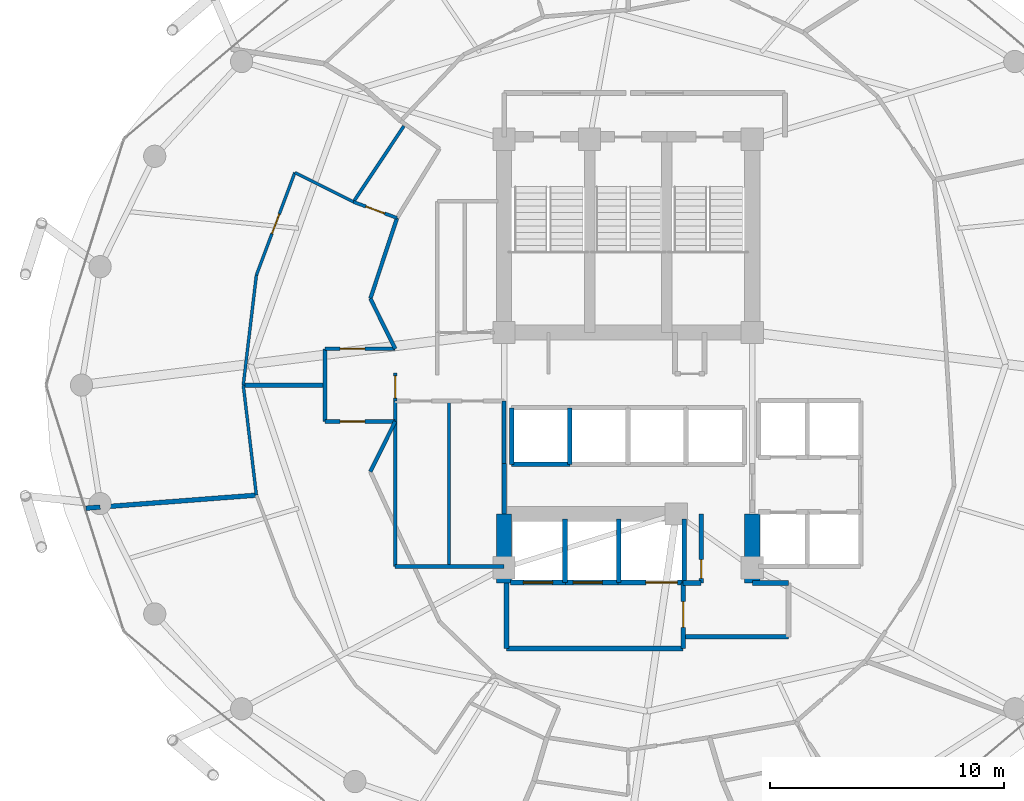
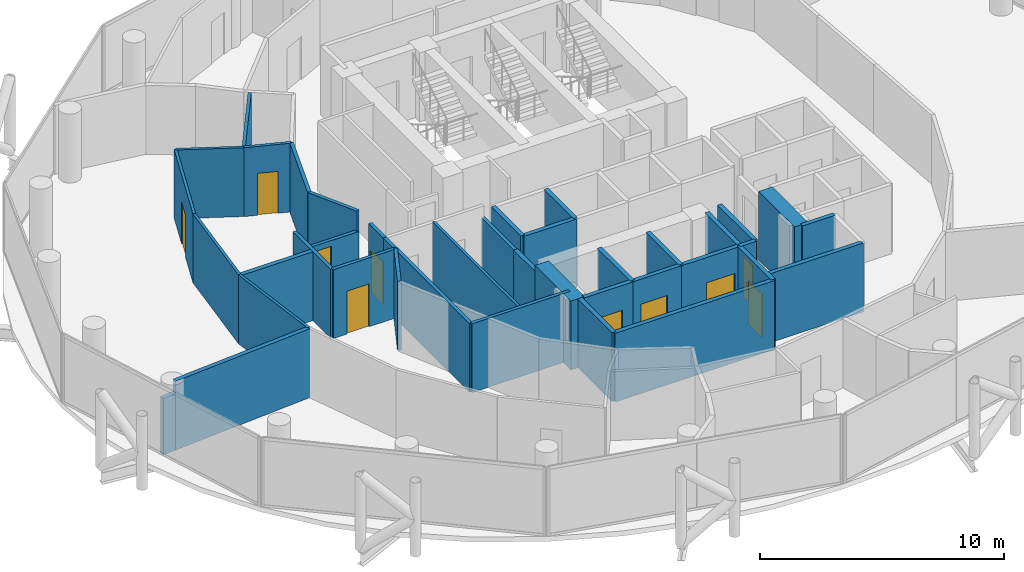
# One storey, part 22 of 26: 39 walls, 10 doors, 10 openings.
"""IFC4 building model written with IfcOpenShell, lengths in metres."""

from ifc_helpers import new_model, si_unit, direction, frame, frame_2d, origin, place, context, subcontext, project, spatial, rectangle, extrude, material, layer, layer_set, type_object, element, fill, save


model = new_model("IFC4")

# Units and contexts
model_context = context("Model", 3, precision=1e-05, world=origin(), true_north=direction((0.0, 1.0)))
body_context = subcontext(model_context, "Body", "Model", "MODEL_VIEW")
ifc_project = project(units=[si_unit("LENGTHUNIT", "METRE"), si_unit("AREAUNIT", "SQUARE_METRE"), si_unit("VOLUMEUNIT", "CUBIC_METRE"), si_unit("PLANEANGLEUNIT", "RADIAN"), si_unit("MASSUNIT", "GRAM", prefix="KILO")], contexts=[model_context])

# Site, building, storey
site_placement = place(None, origin())
site = spatial("IfcSite", under=ifc_project, at=site_placement, CompositionType="ELEMENT")
building_placement = place(site_placement, origin())
building = spatial("IfcBuilding", under=site, at=building_placement, Name="Nuhasar Tower", CompositionType="ELEMENT")
storey_placement = place(building_placement, frame((0.0, 0.0, 140.449951171875)))
storey = spatial("IfcBuildingStorey", under=building, at=storey_placement, Name="L33", CompositionType="ELEMENT", Elevation=140.449951171875)

# Walls
ifc_material_1 = material(Name="Concrete C65/80", Category="concrete")
ifc_layer_1 = layer(ifc_material_1, 0.64990234375)
ifc_layer_set_1 = layer_set([ifc_layer_1], Name="Concrete C65/80")
wall_type_1 = type_object("IfcWallType", Name="WL-CORE-650", PredefinedType="SHEAR", material=ifc_layer_set_1)
for number, where, z_axis, x_axis, name in (
    (1, (33.699951171875, 18.35009765625, 0.0), (0.0, 0.0, 1.0), (0.0, 1.0, 0.0), "L33 Core Shear Wall CW-SW CW-650"),
    (2, (44.300048828125, 18.35009765625, 0.0), (0.0, 0.0, 1.0), (0.0, 1.0, 0.0), "L33 Core Shear Wall CW-SE CW-650"),
):
    element("IfcWall", number, at=place(storey_placement, frame(where, z_axis=z_axis, x_axis=x_axis)), inside=storey, type_object=wall_type_1, Name=name, PredefinedType="SHEAR", context=body_context, shape_type="SweptSolid", body=[
        extrude(rectangle(XDim=2.949951171875, YDim=0.64990234375, at=frame_2d((1.47509765625, 0.0))), origin(), (0.0, 0.0, 1.0), 3.449951171875),
    ])
ifc_material_2 = material(Name="Gypsum Board", Category="gypsum")
ifc_layer_2 = layer(ifc_material_2, 0.159912109375)
ifc_layer_set_2 = layer_set([ifc_layer_2], Name="Gypsum Board")
wall_type_2 = type_object("IfcWallType", Name="WL-CORR-160", PredefinedType="PARTITIONING", material=ifc_layer_set_2)
wall_1_placement = place(storey_placement, frame((29.050048828125, 19.050048828125, 0.0), z_axis=(0.0, 0.0, 1.0), x_axis=(1.0, 0.0, 0.0)))
element("IfcWall", 3, at=wall_1_placement, inside=storey, type_object=wall_type_2, Name="L33 Interior Partition RECL-B1-S", PredefinedType="PARTITIONING", context=body_context, shape_type="SweptSolid", body=[
    extrude(rectangle(XDim=4.64990234375, YDim=0.159912109375, at=frame_2d((2.324951171875, 0.0))), origin(), (0.0, 0.0, 1.0), 3.449951171875),
])
wall_2_placement = place(storey_placement, frame((29.050048828125, 19.050048828125, 0.0), z_axis=(0.0, 0.0, 1.0), x_axis=(0.0, 1.0, 0.0)))
element("IfcWall", 4, at=wall_2_placement, inside=storey, type_object=wall_type_2, Name="L33 Interior Partition RECL-B1-W", PredefinedType="PARTITIONING", context=body_context, shape_type="SweptSolid", body=[
    extrude(rectangle(XDim=7.070068359375, YDim=0.159912109375, at=frame_2d((3.53515625, 0.0))), origin(), (0.0, 0.0, 1.0), 3.449951171875),
])
wall_3_placement = place(storey_placement, frame((33.699951171875, 23.449951171875, 0.0), z_axis=(0.0, 0.0, 1.0), x_axis=(0.0, 1.0, 0.0)))
element("IfcWall", 5, at=wall_3_placement, inside=storey, type_object=wall_type_2, Name="L33 Interior Partition RECL-B1-E", PredefinedType="PARTITIONING", context=body_context, shape_type="SweptSolid", body=[
    extrude(rectangle(XDim=2.670166015625, YDim=0.159912109375, at=frame_2d((1.3349609375, 0.0))), origin(), (0.0, 0.0, 1.0), 2.8349609375),
])

# Wall, opening, door
wall_4_placement = place(storey_placement, frame((29.050048828125, 26.1201171875, 0.0), z_axis=(0.0, 0.0, 1.0), x_axis=(0.0, 1.0, 0.0)))
wall_4 = element("IfcWall", 6, at=wall_4_placement, inside=storey, type_object=wall_type_2, Name="L33 Interior Partition WVEST-E", PredefinedType="PARTITIONING", context=body_context, shape_type="SweptSolid", body=[
    extrude(rectangle(XDim=1.199951171875, YDim=0.159912109375, at=frame_2d((0.60009765625, 0.0))), origin(), (0.0, 0.0, 1.0), 3.449951171875),
])
opening_1_placement = place(wall_4_placement, frame((0.125, 0.0, 0.0)))
opening_1 = element("IfcOpeningElement", 7, at=opening_1_placement, cuts=wall_4, Name="Opening DO-01", PredefinedType="OPENING", context=body_context, shape_type="SweptSolid", body=[
    extrude(rectangle(XDim=0.949951171875, YDim=2.14990234375, at=frame_2d((0.47509765625, 1.074951171875))), frame((0.0, 0.08984375, 0.0), z_axis=(0.0, -1.0, 0.0), x_axis=(1.0, 0.0, 0.0)), (0.0, 0.0, 1.0), 0.179931640625),
])
ifc_material_3 = material(Name="Timber Oak", Category="wood")
door_type_1 = type_object("IfcDoorType", Name="DR-OFFICE-FD30-950", OperationType="NOTDEFINED", PredefinedType="DOOR", material=ifc_material_3)
door_1_placement = place(opening_1_placement, origin())
door_1 = element("IfcDoor", 8, at=door_1_placement, inside=storey, type_object=door_type_1, Name="L33 West Arrival Foyer Core Door", OperationType="SINGLE_SWING_LEFT", OverallHeight=2.14990234375, OverallWidth=0.949951171875, PredefinedType="DOOR", context=body_context, shape_type="SweptSolid", body=[
    extrude(rectangle(XDim=0.949951171875, YDim=2.14990234375, at=frame_2d((0.47509765625, 1.074951171875))), frame((0.0, 0.02490234375, 0.0), z_axis=(0.0, -1.0, 0.0), x_axis=(1.0, 0.0, 0.0)), (0.0, 0.0, 1.0), 0.050048828125),
])
fill(opening_1, door_1)

# Wall
wall_5_placement = place(storey_placement, frame((29.126953125, 33.93994140625, 0.0), z_axis=(0.0, 0.0, 1.0), x_axis=(-0.313985571683, -0.949427754374, 0.0)))
element("IfcWall", 9, at=wall_5_placement, inside=storey, type_object=wall_type_2, Name="L33 Interior Partition HWEST-CORE-N-20", PredefinedType="PARTITIONING", context=body_context, shape_type="SweptSolid", body=[
    extrude(rectangle(XDim=3.627197265625, YDim=0.159912109375, at=frame_2d((1.8134765625, 0.0))), origin(), (0.0, 0.0, 1.0), 3.449951171875),
])

# Wall, opening, door
wall_6_placement = place(storey_placement, frame((26.050048828125, 28.35009765625, 0.0), z_axis=(0.0, 0.0, 1.0), x_axis=(1.0, 0.0, 0.0)))
wall_6 = element("IfcWall", 10, at=wall_6_placement, inside=storey, type_object=wall_type_2, Name="L33 Interior Partition WVEST-N", PredefinedType="PARTITIONING", context=body_context, shape_type="SweptSolid", body=[
    extrude(rectangle(XDim=3.0, YDim=0.159912109375, at=frame_2d((1.5, 0.0))), origin(), (0.0, 0.0, 1.0), 2.43994140625),
])
opening_2_placement = place(wall_6_placement, frame((0.64990234375, 0.0, 0.0)))
opening_2 = element("IfcOpeningElement", 11, at=opening_2_placement, cuts=wall_6, Name="Opening DU-01", PredefinedType="OPENING", context=body_context, shape_type="SweptSolid", body=[
    extrude(rectangle(XDim=1.050048828125, YDim=2.14990234375, at=frame_2d((0.52490234375, 1.074951171875))), frame((0.0, 0.08984375, 0.0), z_axis=(0.0, -1.0, 0.0), x_axis=(1.0, 0.0, 0.0)), (0.0, 0.0, 1.0), 0.179931640625),
])
door_type_2 = type_object("IfcDoorType", Name="DR-SUITE-FD60-1050", OperationType="NOTDEFINED", PredefinedType="DOOR", material=ifc_material_3)
door_2_placement = place(opening_2_placement, origin())
door_2 = element("IfcDoor", 12, at=door_2_placement, inside=storey, type_object=door_type_2, Name="L33 North-West Sunset Suite Entrance", OperationType="SINGLE_SWING_LEFT", OverallHeight=2.14990234375, OverallWidth=1.050048828125, PredefinedType="DOOR", context=body_context, shape_type="SweptSolid", body=[
    extrude(rectangle(XDim=1.050048828125, YDim=2.14990234375, at=frame_2d((0.52490234375, 1.074951171875))), frame((0.0, 0.02490234375, 0.0), z_axis=(0.0, -1.0, 0.0), x_axis=(1.0, 0.0, 0.0)), (0.0, 0.0, 1.0), 0.050048828125),
])
fill(opening_2, door_2)

wall_7_placement = place(storey_placement, frame((26.050048828125, 25.25, 0.0), z_axis=(0.0, 0.0, 1.0), x_axis=(1.0, 0.0, 0.0)))
wall_7 = element("IfcWall", 13, at=wall_7_placement, inside=storey, type_object=wall_type_2, Name="L33 Interior Partition WVEST-S", PredefinedType="PARTITIONING", context=body_context, shape_type="SweptSolid", body=[
    extrude(rectangle(XDim=3.0, YDim=0.159912109375, at=frame_2d((1.5, 0.0))), origin(), (0.0, 0.0, 1.0), 3.449951171875),
])
opening_3_placement = place(wall_7_placement, frame((0.64990234375, 0.0, 0.0)))
opening_3 = element("IfcOpeningElement", 14, at=opening_3_placement, cuts=wall_7, Name="Opening DU-01", PredefinedType="OPENING", context=body_context, shape_type="SweptSolid", body=[
    extrude(rectangle(XDim=1.050048828125, YDim=2.14990234375, at=frame_2d((0.52490234375, 1.074951171875))), frame((0.0, 0.08984375, 0.0), z_axis=(0.0, -1.0, 0.0), x_axis=(1.0, 0.0, 0.0)), (0.0, 0.0, 1.0), 0.179931640625),
])
door_3_placement = place(opening_3_placement, origin())
door_3 = element("IfcDoor", 15, at=door_3_placement, inside=storey, type_object=door_type_2, Name="L33 South-West Presidential Suite Entrance", OperationType="SINGLE_SWING_LEFT", OverallHeight=2.14990234375, OverallWidth=1.050048828125, PredefinedType="DOOR", context=body_context, shape_type="SweptSolid", body=[
    extrude(rectangle(XDim=1.050048828125, YDim=2.14990234375, at=frame_2d((0.52490234375, 1.074951171875))), frame((0.0, 0.02490234375, 0.0), z_axis=(0.0, -1.0, 0.0), x_axis=(1.0, 0.0, 0.0)), (0.0, 0.0, 1.0), 0.050048828125),
])
fill(opening_3, door_3)

# Walls
wall_8_placement = place(storey_placement, frame((26.050048828125, 25.25, 0.0), z_axis=(0.0, 0.0, 1.0), x_axis=(0.0, 1.0, 0.0)))
element("IfcWall", 16, at=wall_8_placement, inside=storey, type_object=wall_type_2, Name="L33 Interior Partition WVEST-W", PredefinedType="PARTITIONING", context=body_context, shape_type="SweptSolid", body=[
    extrude(rectangle(XDim=3.10009765625, YDim=0.159912109375, at=frame_2d((1.550048828125, 0.0))), origin(), (0.0, 0.0, 1.0), 3.449951171875),
])
for number, where, z_axis, x_axis, name in (
    (17, (27.988037109375, 30.49609375, 0.0), (0.0, 0.0, 1.0), (0.443539160525, -0.896254993337, 0.0), "L33 Interior Partition WVEST-CN"),
    (18, (27.988037109375, 23.10400390625, 0.0), (0.0, 0.0, 1.0), (0.443539160525, 0.896254993337, 0.0), "L33 Interior Partition WVEST-CS"),
):
    element("IfcWall", number, at=place(storey_placement, frame(where, z_axis=z_axis, x_axis=x_axis)), inside=storey, type_object=wall_type_2, Name=name, PredefinedType="PARTITIONING", context=body_context, shape_type="SweptSolid", body=[
        extrude(rectangle(XDim=2.394287109375, YDim=0.159912109375, at=frame_2d((1.197265625, 0.0))), origin(), (0.0, 0.0, 1.0), 3.449951171875),
    ])
ifc_material_4 = material(Name="Concrete C45/55", Category="concrete")
ifc_layer_3 = layer(ifc_material_4, 0.199951171875)
ifc_layer_set_3 = layer_set([ifc_layer_3], Name="Concrete C45/55")
wall_type_3 = type_object("IfcWallType", Name="WL-LOBBY-200", PredefinedType="SOLIDWALL", material=ifc_layer_set_3)
wall_9_placement = place(storey_placement, frame((33.699951171875, 21.300048828125, 0.0), z_axis=(0.0, 0.0, 1.0), x_axis=(0.0, 1.0, 0.0)))
element("IfcWall", 19, at=wall_9_placement, inside=storey, type_object=wall_type_3, Name="L33 Interior Partition LLBH-W", PredefinedType="SOLIDWALL", context=body_context, shape_type="SweptSolid", body=[
    extrude(rectangle(XDim=2.14990234375, YDim=0.199951171875, at=frame_2d((1.074951171875, 0.0))), origin(), (0.0, 0.0, 1.0), 2.8349609375),
])
wall_10_placement = place(storey_placement, frame((33.800048828125, 15.550048828125, 0.0), z_axis=(0.0, 0.0, 1.0), x_axis=(1.0, 0.0, 0.0)))
element("IfcWall", 20, at=wall_10_placement, inside=storey, type_object=wall_type_3, Name="L33 Interior Partition FFL-S", PredefinedType="SOLIDWALL", context=body_context, shape_type="SweptSolid", body=[
    extrude(rectangle(XDim=7.550048828125, YDim=0.199951171875, at=frame_2d((3.77490234375, 0.0))), origin(), (0.0, 0.0, 1.0), 3.449951171875),
])
wall_11_placement = place(storey_placement, frame((33.800048828125, 15.550048828125, 0.0), z_axis=(0.0, 0.0, 1.0), x_axis=(0.0, 1.0, 0.0)))
element("IfcWall", 21, at=wall_11_placement, inside=storey, type_object=wall_type_3, Name="L33 Interior Partition FFL-W", PredefinedType="SOLIDWALL", context=body_context, shape_type="SweptSolid", body=[
    extrude(rectangle(XDim=2.800048828125, YDim=0.199951171875, at=frame_2d((1.39990234375, 0.0))), origin(), (0.0, 0.0, 1.0), 3.449951171875),
])

# Wall, opening, door
wall_12_placement = place(storey_placement, frame((41.35009765625, 15.550048828125, 0.0), z_axis=(0.0, 0.0, 1.0), x_axis=(0.0, 1.0, 0.0)))
wall_12 = element("IfcWall", 22, at=wall_12_placement, inside=storey, type_object=wall_type_3, Name="L33 Interior Partition FFL-E", PredefinedType="SOLIDWALL", context=body_context, shape_type="SweptSolid", body=[
    extrude(rectangle(XDim=2.800048828125, YDim=0.199951171875, at=frame_2d((1.39990234375, 0.0))), origin(), (0.0, 0.0, 1.0), 3.449951171875),
])
opening_4_placement = place(wall_12_placement, frame((0.89990234375, 0.0, 0.0)))
opening_4 = element("IfcOpeningElement", 23, at=opening_4_placement, cuts=wall_12, Name="Opening DS-02", PredefinedType="OPENING", context=body_context, shape_type="SweptSolid", body=[
    extrude(rectangle(XDim=1.10009765625, YDim=2.14990234375, at=frame_2d((0.550048828125, 1.074951171875))), frame((0.0, 0.10986328125, 0.0), z_axis=(0.0, -1.0, 0.0), x_axis=(1.0, 0.0, 0.0)), (0.0, 0.0, 1.0), 0.219970703125),
])
ifc_material_5 = material(Name="Steel S355", Category="steel")
door_type_3 = type_object("IfcDoorType", Name="DR-FFL-FD120-1100", OperationType="NOTDEFINED", PredefinedType="DOOR", material=ifc_material_5)
door_4_placement = place(opening_4_placement, origin())
door_4 = element("IfcDoor", 24, at=door_4_placement, inside=storey, type_object=door_type_3, Name="L33 Firefighting Lobby Door", OperationType="SINGLE_SWING_RIGHT", OverallHeight=2.14990234375, OverallWidth=1.10009765625, PredefinedType="DOOR", context=body_context, shape_type="SweptSolid", body=[
    extrude(rectangle(XDim=1.10009765625, YDim=2.14990234375, at=frame_2d((0.550048828125, 1.074951171875))), frame((0.0, 0.02490234375, 0.0), z_axis=(0.0, -1.0, 0.0), x_axis=(1.0, 0.0, 0.0)), (0.0, 0.0, 1.0), 0.050048828125),
])
fill(opening_4, door_4)

# Walls
wall_13_placement = place(storey_placement, frame((41.35009765625, 16.050048828125, 0.0), z_axis=(0.0, 0.0, 1.0), x_axis=(1.0, 0.0, 0.0)))
element("IfcWall", 25, at=wall_13_placement, inside=storey, type_object=wall_type_3, Name="L33 Interior Partition SVLV-S", PredefinedType="SOLIDWALL", context=body_context, shape_type="SweptSolid", body=[
    extrude(rectangle(XDim=4.5, YDim=0.199951171875, at=frame_2d((2.25, 0.0))), origin(), (0.0, 0.0, 1.0), 3.449951171875),
])
wall_14_placement = place(storey_placement, frame((44.300048828125, 18.35009765625, 0.0), z_axis=(0.0, 0.0, 1.0), x_axis=(1.0, 0.0, 0.0)))
element("IfcWall", 26, at=wall_14_placement, inside=storey, type_object=wall_type_3, Name="L33 Interior Partition SVLV-N", PredefinedType="SOLIDWALL", context=body_context, shape_type="SweptSolid", body=[
    extrude(rectangle(XDim=1.550048828125, YDim=0.199951171875, at=frame_2d((0.77490234375, 0.0))), origin(), (0.0, 0.0, 1.0), 3.449951171875),
])
ifc_layer_4 = layer(ifc_material_2, 0.125)
ifc_layer_set_4 = layer_set([ifc_layer_4], Name="Gypsum Board")
wall_type_4 = type_object("IfcWallType", Name="WL-PART-125", PredefinedType="PARTITIONING", material=ifc_layer_set_4)
wall_15_placement = place(storey_placement, frame((31.35009765625, 19.050048828125, 0.0), z_axis=(0.0, 0.0, 1.0), x_axis=(0.0, 1.0, 0.0)))
element("IfcWall", 27, at=wall_15_placement, inside=storey, type_object=wall_type_4, Name="L33 Interior Partition RECL-B1-V", PredefinedType="PARTITIONING", context=body_context, shape_type="SweptSolid", body=[
    extrude(rectangle(XDim=7.070068359375, YDim=0.125, at=frame_2d((3.53515625, 0.0))), origin(), (0.0, 0.0, 1.0), 3.449951171875),
])
wall_16_placement = place(storey_placement, frame((27.264892578125, 34.625, 0.0), z_axis=(0.0, 0.0, 1.0), x_axis=(-0.893868262645, 0.448329710187, 0.0)))
element("IfcWall", 28, at=wall_16_placement, inside=storey, type_object=wall_type_4, Name="L33 Interior Partition HWS1-S", PredefinedType="PARTITIONING", context=body_context, shape_type="SweptSolid", body=[
    extrude(rectangle(XDim=2.799072265625, YDim=0.125, at=frame_2d((1.3994140625, 0.0))), origin(), (0.0, 0.0, 1.0), 3.449951171875),
])

# Wall, opening, door
wall_17_placement = place(storey_placement, frame((24.762939453125, 35.8798828125, 0.0), z_axis=(0.0, 0.0, 1.0), x_axis=(-0.351192075157, -0.936303437111, 0.0)))
wall_17 = element("IfcWall", 29, at=wall_17_placement, inside=storey, type_object=wall_type_4, Name="L33 Interior Partition HWS1-ARC-20", PredefinedType="PARTITIONING", context=body_context, shape_type="SweptSolid", body=[
    extrude(rectangle(XDim=4.677734375, YDim=0.125, at=frame_2d((2.3388671875, 0.0))), origin(), (0.0, 0.0, 1.0), 3.449951171875),
])
opening_5_placement = place(wall_17_placement, frame((1.888916015625, 0.0, 0.0)))
opening_5 = element("IfcOpeningElement", 30, at=opening_5_placement, cuts=wall_17, Name="Opening DR-01", PredefinedType="OPENING", context=body_context, shape_type="SweptSolid", body=[
    extrude(rectangle(XDim=0.89990234375, YDim=2.10009765625, at=frame_2d((0.449951171875, 1.050048828125))), frame((0.0, 0.072509765625, 0.0), z_axis=(0.0, -1.0, 0.0), x_axis=(1.0, 0.0, 0.0)), (0.0, 0.0, 1.0), 0.14501953125),
])
door_type_4 = type_object("IfcDoorType", Name="DR-ROOM-900", OperationType="NOTDEFINED", PredefinedType="DOOR", material=ifc_material_3)
door_5_placement = place(opening_5_placement, origin())
door_5 = element("IfcDoor", 31, at=door_5_placement, inside=storey, type_object=door_type_4, Name="L33 North-West Sunset Suite Bedroom Door", OperationType="SINGLE_SWING_RIGHT", OverallHeight=2.10009765625, OverallWidth=0.89990234375, PredefinedType="DOOR", context=body_context, shape_type="SweptSolid", body=[
    extrude(rectangle(XDim=0.89990234375, YDim=2.10009765625, at=frame_2d((0.449951171875, 1.050048828125))), frame((0.0, 0.02490234375, 0.0), z_axis=(0.0, -1.0, 0.0), x_axis=(1.0, 0.0, 0.0)), (0.0, 0.0, 1.0), 0.050048828125),
])
fill(opening_5, door_5)

# Walls
for number, where, z_axis, x_axis, name in (
    (32, (23.1201171875, 31.5, 0.0), (0.0, 0.0, 1.0), (-0.118325506778, -0.992974860933, 0.0), "L33 Interior Partition HWS1-ARC-22"),
    (33, (22.56005859375, 26.800048828125, 0.0), (0.0, 0.0, 1.0), (0.118325506778, -0.992974860933, 0.0), "L33 Interior Partition HWS2-ARC-24"),
):
    element("IfcWall", number, at=place(storey_placement, frame(where, z_axis=z_axis, x_axis=x_axis)), inside=storey, type_object=wall_type_4, Name=name, PredefinedType="PARTITIONING", context=body_context, shape_type="SweptSolid", body=[
        extrude(rectangle(XDim=4.733154296875, YDim=0.125, at=frame_2d((2.36669921875, 0.0))), origin(), (0.0, 0.0, 1.0), 3.449951171875),
    ])
ifc_layer_5 = layer(ifc_material_4, 0.199951171875)
ifc_layer_set_5 = layer_set([ifc_layer_5], Name="Concrete C45/55")
wall_type_5 = type_object("IfcWallType", Name="WL-SHAFT-200", PredefinedType="SOLIDWALL", material=ifc_layer_set_5)
wall_18_placement = place(storey_placement, frame((34.02001953125, 23.419921875, 0.0), z_axis=(0.0, 0.0, 1.0), x_axis=(1.0, 0.0, 0.0)))
element("IfcWall", 34, at=wall_18_placement, inside=storey, type_object=wall_type_5, Name="L33 Interior Partition SHF-PL-H01-S", PredefinedType="SOLIDWALL", context=body_context, shape_type="SweptSolid", body=[
    extrude(rectangle(XDim=2.5, YDim=0.199951171875, at=frame_2d((1.25, 0.0))), origin(), (0.0, 0.0, 1.0), 3.449951171875),
])
for number, where, z_axis, x_axis, name in (
    (35, (34.02001953125, 23.419921875, 0.0), (0.0, 0.0, 1.0), (0.0, 1.0, 0.0), "L33 Interior Partition SHF-PL-H01-W"),
    (36, (36.510009765625, 23.419921875, 0.0), (0.0, 0.0, 1.0), (0.0, 1.0, 0.0), "L33 Interior Partition SHF-PL-H01-E"),
):
    element("IfcWall", number, at=place(storey_placement, frame(where, z_axis=z_axis, x_axis=x_axis)), inside=storey, type_object=wall_type_5, Name=name, PredefinedType="SOLIDWALL", context=body_context, shape_type="SweptSolid", body=[
        extrude(rectangle(XDim=2.41015625, YDim=0.199951171875, at=frame_2d((1.205078125, 0.0))), origin(), (0.0, 0.0, 1.0), 3.449951171875),
    ])

# Wall, opening, door
wall_19_placement = place(storey_placement, frame((33.969970703125, 18.3701171875, 0.0), z_axis=(0.0, 0.0, 1.0), x_axis=(1.0, 0.0, 0.0)))
wall_19 = element("IfcWall", 37, at=wall_19_placement, inside=storey, type_object=wall_type_5, Name="L33 Interior Partition SHF-FFL-01-S", PredefinedType="SOLIDWALL", context=body_context, shape_type="SweptSolid", body=[
    extrude(rectangle(XDim=2.360107421875, YDim=0.199951171875, at=frame_2d((1.18017578125, 0.0))), origin(), (0.0, 0.0, 1.0), 3.449951171875),
])
opening_6_placement = place(wall_19_placement, frame((0.554931640625, 0.0, 0.0)))
opening_6 = element("IfcOpeningElement", 38, at=opening_6_placement, cuts=wall_19, Name="Opening LD-F01", PredefinedType="OPENING", context=body_context, shape_type="SweptSolid", body=[
    extrude(rectangle(XDim=1.25, YDim=2.199951171875, at=frame_2d((0.625, 1.10009765625))), frame((0.0, 0.10986328125, 0.0), z_axis=(0.0, -1.0, 0.0), x_axis=(1.0, 0.0, 0.0)), (0.0, 0.0, 1.0), 0.219970703125),
])
ifc_material_6 = material(Name="Stainless Steel 316L", Category="steel")
door_type_5 = type_object("IfcDoorType", Name="LD-FFL-1250", OperationType="DOUBLE_DOOR_SLIDING", PredefinedType="DOOR", material=ifc_material_6)
door_6_placement = place(opening_6_placement, origin())
door_6 = element("IfcDoor", 39, at=door_6_placement, inside=storey, type_object=door_type_5, Name="L33 Lift Landing Door FFL-01", OperationType="DOUBLE_DOOR_SLIDING", OverallHeight=2.199951171875, OverallWidth=1.25, PredefinedType="DOOR", context=body_context, shape_type="SweptSolid", body=[
    extrude(rectangle(XDim=1.25, YDim=2.199951171875, at=frame_2d((0.625, 1.10009765625))), frame((0.0, 0.02490234375, 0.0), z_axis=(0.0, -1.0, 0.0), x_axis=(1.0, 0.0, 0.0)), (0.0, 0.0, 1.0), 0.050048828125),
])
fill(opening_6, door_6)

# Wall
wall_20_placement = place(storey_placement, frame((36.300048828125, 18.3701171875, 0.0), z_axis=(0.0, 0.0, 1.0), x_axis=(0.0, 1.0, 0.0)))
element("IfcWall", 40, at=wall_20_placement, inside=storey, type_object=wall_type_5, Name="L33 Interior Partition SHF-FFL-01-E", PredefinedType="SOLIDWALL", context=body_context, shape_type="SweptSolid", body=[
    extrude(rectangle(XDim=2.7099609375, YDim=0.199951171875, at=frame_2d((1.35498046875, 0.0))), origin(), (0.0, 0.0, 1.0), 3.449951171875),
])

# Wall, opening, door
wall_21_placement = place(storey_placement, frame((36.27001953125, 18.3701171875, 0.0), z_axis=(0.0, 0.0, 1.0), x_axis=(1.0, 0.0, 0.0)))
wall_21 = element("IfcWall", 41, at=wall_21_placement, inside=storey, type_object=wall_type_5, Name="L33 Interior Partition SHF-FFL-02-S", PredefinedType="SOLIDWALL", context=body_context, shape_type="SweptSolid", body=[
    extrude(rectangle(XDim=2.35986328125, YDim=0.199951171875, at=frame_2d((1.179931640625, 0.0))), origin(), (0.0, 0.0, 1.0), 3.449951171875),
])
opening_7_placement = place(wall_21_placement, frame((0.3798828125, 0.0, 0.0)))
opening_7 = element("IfcOpeningElement", 42, at=opening_7_placement, cuts=wall_21, Name="Opening LD-F02", PredefinedType="OPENING", context=body_context, shape_type="SweptSolid", body=[
    extrude(rectangle(XDim=1.25, YDim=2.199951171875, at=frame_2d((0.625, 1.10009765625))), frame((0.0, 0.10986328125, 0.0), z_axis=(0.0, -1.0, 0.0), x_axis=(1.0, 0.0, 0.0)), (0.0, 0.0, 1.0), 0.219970703125),
])
door_7_placement = place(opening_7_placement, origin())
door_7 = element("IfcDoor", 43, at=door_7_placement, inside=storey, type_object=door_type_5, Name="L33 Lift Landing Door FFL-02", OperationType="DOUBLE_DOOR_SLIDING", OverallHeight=2.199951171875, OverallWidth=1.25, PredefinedType="DOOR", context=body_context, shape_type="SweptSolid", body=[
    extrude(rectangle(XDim=1.25, YDim=2.199951171875, at=frame_2d((0.625, 1.10009765625))), frame((0.0, 0.02490234375, 0.0), z_axis=(0.0, -1.0, 0.0), x_axis=(1.0, 0.0, 0.0)), (0.0, 0.0, 1.0), 0.050048828125),
])
fill(opening_7, door_7)

# Wall
wall_22_placement = place(storey_placement, frame((38.60009765625, 18.3701171875, 0.0), z_axis=(0.0, 0.0, 1.0), x_axis=(0.0, 1.0, 0.0)))
element("IfcWall", 44, at=wall_22_placement, inside=storey, type_object=wall_type_5, Name="L33 Interior Partition SHF-FFL-02-E", PredefinedType="SOLIDWALL", context=body_context, shape_type="SweptSolid", body=[
    extrude(rectangle(XDim=2.7099609375, YDim=0.199951171875, at=frame_2d((1.35498046875, 0.0))), origin(), (0.0, 0.0, 1.0), 3.449951171875),
])

# Wall, opening, door
wall_23_placement = place(storey_placement, frame((38.570068359375, 18.3701171875, 0.0), z_axis=(0.0, 0.0, 1.0), x_axis=(1.0, 0.0, 0.0)))
wall_23 = element("IfcWall", 45, at=wall_23_placement, inside=storey, type_object=wall_type_5, Name="L33 Interior Partition SHF-SVL-01-S", PredefinedType="SOLIDWALL", context=body_context, shape_type="SweptSolid", body=[
    extrude(rectangle(XDim=2.829833984375, YDim=0.199951171875, at=frame_2d((1.4150390625, 0.0))), origin(), (0.0, 0.0, 1.0), 3.449951171875),
])
opening_8_placement = place(wall_23_placement, frame((1.179931640625, 0.0, 0.0)))
opening_8 = element("IfcOpeningElement", 46, at=opening_8_placement, cuts=wall_23, Name="Opening LD-S01", PredefinedType="OPENING", context=body_context, shape_type="SweptSolid", body=[
    extrude(rectangle(XDim=1.35009765625, YDim=2.179931640625, at=frame_2d((0.675048828125, 1.08984375))), frame((0.0, 0.10986328125, 0.0), z_axis=(0.0, -1.0, 0.0), x_axis=(1.0, 0.0, 0.0)), (0.0, 0.0, 1.0), 0.219970703125),
])
door_type_6 = type_object("IfcDoorType", Name="LD-SVL-1350", OperationType="DOUBLE_DOOR_SLIDING", PredefinedType="DOOR", material=ifc_material_6)
door_8_placement = place(opening_8_placement, origin())
door_8 = element("IfcDoor", 47, at=door_8_placement, inside=storey, type_object=door_type_6, Name="L33 Lift Landing Door SVL-01", OperationType="DOUBLE_DOOR_SLIDING", OverallHeight=2.179931640625, OverallWidth=1.35009765625, PredefinedType="DOOR", context=body_context, shape_type="SweptSolid", body=[
    extrude(rectangle(XDim=1.35009765625, YDim=2.179931640625, at=frame_2d((0.675048828125, 1.08984375))), frame((0.0, 0.02490234375, 0.0), z_axis=(0.0, -1.0, 0.0), x_axis=(1.0, 0.0, 0.0)), (0.0, 0.0, 1.0), 0.050048828125),
])
fill(opening_8, door_8)

# Wall
wall_24_placement = place(storey_placement, frame((41.39990234375, 18.3701171875, 0.0), z_axis=(0.0, 0.0, 1.0), x_axis=(0.0, 1.0, 0.0)))
element("IfcWall", 48, at=wall_24_placement, inside=storey, type_object=wall_type_5, Name="L33 Interior Partition SHF-SVL-01-E", PredefinedType="SOLIDWALL", context=body_context, shape_type="SweptSolid", body=[
    extrude(rectangle(XDim=2.7099609375, YDim=0.199951171875, at=frame_2d((1.35498046875, 0.0))), origin(), (0.0, 0.0, 1.0), 3.449951171875),
])

# Wall, opening, door
wall_25_placement = place(storey_placement, frame((42.1201171875, 18.35009765625, 0.0), z_axis=(0.0, 0.0, 1.0), x_axis=(0.0, 1.0, 0.0)))
wall_25 = element("IfcWall", 49, at=wall_25_placement, inside=storey, type_object=wall_type_5, Name="L33 Interior Partition RSR-E", PredefinedType="SOLIDWALL", context=body_context, shape_type="SweptSolid", body=[
    extrude(rectangle(XDim=2.949951171875, YDim=0.199951171875, at=frame_2d((1.47509765625, 0.0))), origin(), (0.0, 0.0, 1.0), 3.449951171875),
])
opening_9_placement = place(wall_25_placement, frame((0.199951171875, 0.0, 0.0)))
opening_9 = element("IfcOpeningElement", 50, at=opening_9_placement, cuts=wall_25, Name="Opening DM-01", PredefinedType="OPENING", context=body_context, shape_type="SweptSolid", body=[
    extrude(rectangle(XDim=0.800048828125, YDim=2.050048828125, at=frame_2d((0.39990234375, 1.02490234375))), frame((0.0, 0.10986328125, 0.0), z_axis=(0.0, -1.0, 0.0), x_axis=(1.0, 0.0, 0.0)), (0.0, 0.0, 1.0), 0.219970703125),
])
door_type_7 = type_object("IfcDoorType", Name="DR-RISER-FD60-800", OperationType="NOTDEFINED", PredefinedType="DOOR", material=ifc_material_5)
door_9_placement = place(opening_9_placement, origin())
door_9 = element("IfcDoor", 51, at=door_9_placement, inside=storey, type_object=door_type_7, Name="L33 MEP Riser Access Door", OperationType="SINGLE_SWING_LEFT", OverallHeight=2.050048828125, OverallWidth=0.800048828125, PredefinedType="DOOR", context=body_context, shape_type="SweptSolid", body=[
    extrude(rectangle(XDim=0.800048828125, YDim=2.050048828125, at=frame_2d((0.39990234375, 1.02490234375))), frame((0.0, 0.02490234375, 0.0), z_axis=(0.0, -1.0, 0.0), x_axis=(1.0, 0.0, 0.0)), (0.0, 0.0, 1.0), 0.050048828125),
])
fill(opening_9, door_9)

# Walls
wall_26_placement = place(storey_placement, frame((41.35009765625, 18.35009765625, 0.0), z_axis=(0.0, 0.0, 1.0), x_axis=(1.0, 0.0, 0.0)))
element("IfcWall", 52, at=wall_26_placement, inside=storey, type_object=wall_type_5, Name="L33 Interior Partition RSR-S", PredefinedType="SOLIDWALL", context=body_context, shape_type="SweptSolid", body=[
    extrude(rectangle(XDim=0.77001953125, YDim=0.199951171875, at=frame_2d((0.385009765625, 0.0))), origin(), (0.0, 0.0, 1.0), 3.449951171875),
])
ifc_material_7 = material(Name="Concrete C40/50 precast", Category="concrete")
ifc_layer_6 = layer(ifc_material_7, 0.199951171875)
ifc_layer_set_6 = layer_set([ifc_layer_6], Name="Concrete C40/50 precast")
wall_type_6 = type_object("IfcWallType", Name="WL-UNIT-200", PredefinedType="PARTITIONING", material=ifc_layer_set_6)
wall_27_placement = place(storey_placement, frame((26.050048828125, 26.800048828125, 0.0), z_axis=(0.0, 0.0, 1.0), x_axis=(-1.0, 0.0, 0.0)))
element("IfcWall", 53, at=wall_27_placement, inside=storey, type_object=wall_type_6, Name="L33 Interior Partition HWEST-DIV-IN", PredefinedType="PARTITIONING", context=body_context, shape_type="SweptSolid", body=[
    extrude(rectangle(XDim=3.489990234375, YDim=0.199951171875, at=frame_2d((1.7451171875, 0.0))), origin(), (0.0, 0.0, 1.0), 3.449951171875),
])
wall_28_placement = place(storey_placement, frame((23.1201171875, 22.10009765625, 0.0), z_axis=(0.0, 0.0, 1.0), x_axis=(-0.997102364168, -0.076071514848, 0.0)))
element("IfcWall", 54, at=wall_28_placement, inside=storey, type_object=wall_type_6, Name="L33 Interior Partition HWEST-DIV-OUT", PredefinedType="PARTITIONING", context=body_context, shape_type="SweptSolid", body=[
    extrude(rectangle(XDim=6.69140625, YDim=0.199951171875, at=frame_2d((3.345703125, 0.0))), origin(), (0.0, 0.0, 1.0), 3.449951171875),
])
wall_29_placement = place(storey_placement, frame((16.447998046875, 21.591064453125, 0.0), z_axis=(0.0, 0.0, 1.0), x_axis=(-0.997030969882, -0.077001591512, 0.0)))
element("IfcWall", 55, at=wall_29_placement, inside=storey, type_object=wall_type_6, Name="L33 Interior Partition HWEST-DIV-OUT", PredefinedType="PARTITIONING", context=body_context, shape_type="SweptSolid", body=[
    extrude(rectangle(XDim=0.61181640625, YDim=0.199951171875, at=frame_2d((0.305908203125, 0.0))), origin(), (0.0, 0.0, 1.0), 2.8349609375),
])

# Wall, opening, door
ifc_layer_7 = layer(ifc_material_7, 0.139892578125)
ifc_layer_set_7 = layer_set([ifc_layer_7], Name="Concrete C40/50 precast")
wall_type_7 = type_object("IfcWallType", Name="WL-WET-140", PredefinedType="PARTITIONING", material=ifc_layer_set_7)
wall_30_placement = place(storey_placement, frame((27.264892578125, 34.625, 0.0), z_axis=(0.0, 0.0, 1.0), x_axis=(0.938500583084, -0.345277649945, 0.0)))
wall_30 = element("IfcWall", 56, at=wall_30_placement, inside=storey, type_object=wall_type_7, Name="L33 Interior Partition HBW1-S", PredefinedType="PARTITIONING", context=body_context, shape_type="SweptSolid", body=[
    extrude(rectangle(XDim=1.984130859375, YDim=0.139892578125, at=frame_2d((0.9921875, 0.0))), origin(), (0.0, 0.0, 1.0), 3.449951171875),
])
opening_10_placement = place(wall_30_placement, frame((0.56689453125, 0.0, 0.0)))
opening_10 = element("IfcOpeningElement", 57, at=opening_10_placement, cuts=wall_30, Name="Opening DB-01", PredefinedType="OPENING", context=body_context, shape_type="SweptSolid", body=[
    extrude(rectangle(XDim=0.85009765625, YDim=2.10009765625, at=frame_2d((0.425048828125, 1.050048828125))), frame((0.0, 0.080078125, 0.0), z_axis=(0.0, -1.0, 0.0), x_axis=(1.0, 0.0, 0.0)), (0.0, 0.0, 1.0), 0.159912109375),
])
door_type_8 = type_object("IfcDoorType", Name="DR-BATH-850", OperationType="NOTDEFINED", PredefinedType="DOOR", material=ifc_material_3)
door_10_placement = place(opening_10_placement, origin())
door_10 = element("IfcDoor", 58, at=door_10_placement, inside=storey, type_object=door_type_8, Name="L33 North-West Sunset Suite En-Suite Door", OperationType="SINGLE_SWING_LEFT", OverallHeight=2.10009765625, OverallWidth=0.85009765625, PredefinedType="DOOR", context=body_context, shape_type="SweptSolid", body=[
    extrude(rectangle(XDim=0.85009765625, YDim=2.10009765625, at=frame_2d((0.425048828125, 1.050048828125))), frame((0.0, 0.02490234375, 0.0), z_axis=(0.0, -1.0, 0.0), x_axis=(1.0, 0.0, 0.0)), (0.0, 0.0, 1.0), 0.050048828125),
])
fill(opening_10, door_10)

# Wall
wall_31_placement = place(storey_placement, frame((29.4189453125, 37.865966796875, 0.0), z_axis=(0.0, 0.0, 1.0), x_axis=(-0.553526949376, -0.832831265212, 0.0)))
element("IfcWall", 59, at=wall_31_placement, inside=storey, type_object=wall_type_7, Name="L33 Interior Partition HBW1-E", PredefinedType="PARTITIONING", context=body_context, shape_type="SweptSolid", body=[
    extrude(rectangle(XDim=3.8916015625, YDim=0.139892578125, at=frame_2d((1.94580078125, 0.0))), origin(), (0.0, 0.0, 1.0), 3.449951171875),
])

save(model, "model.ifc")
